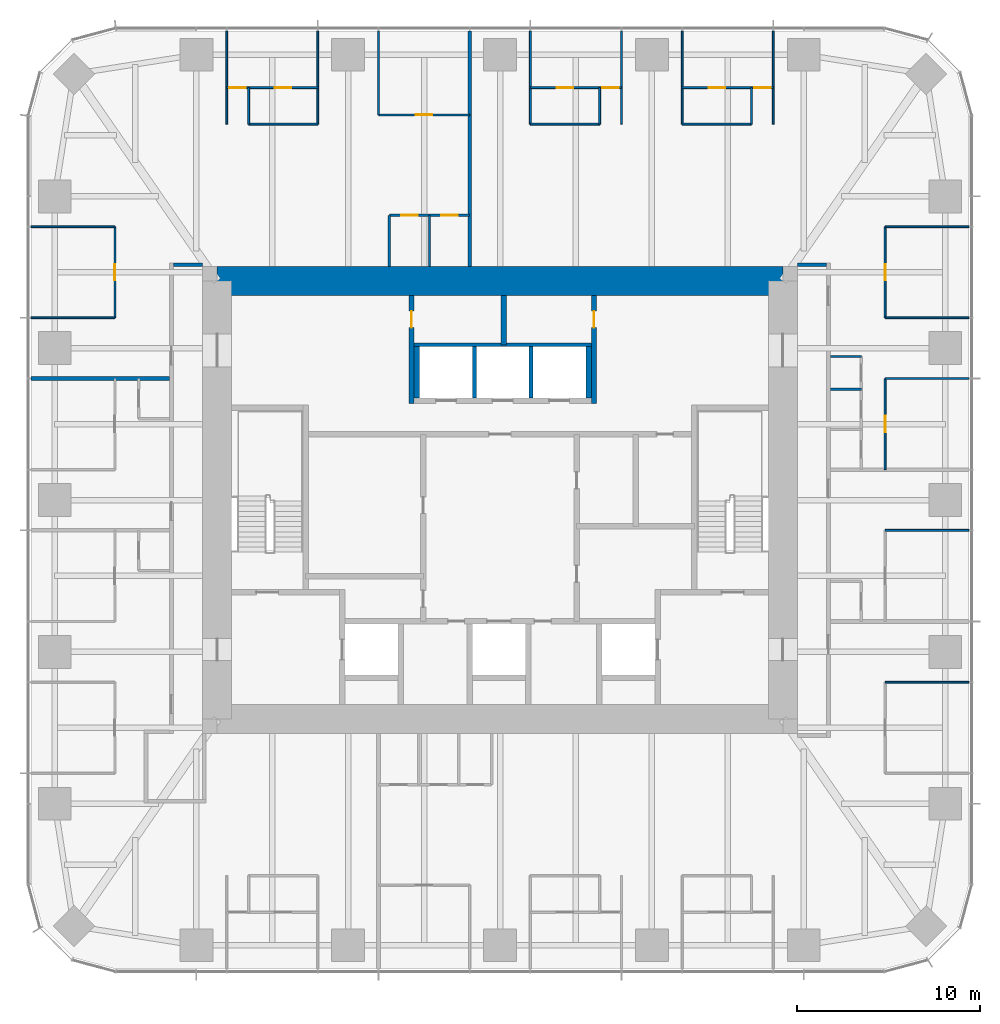
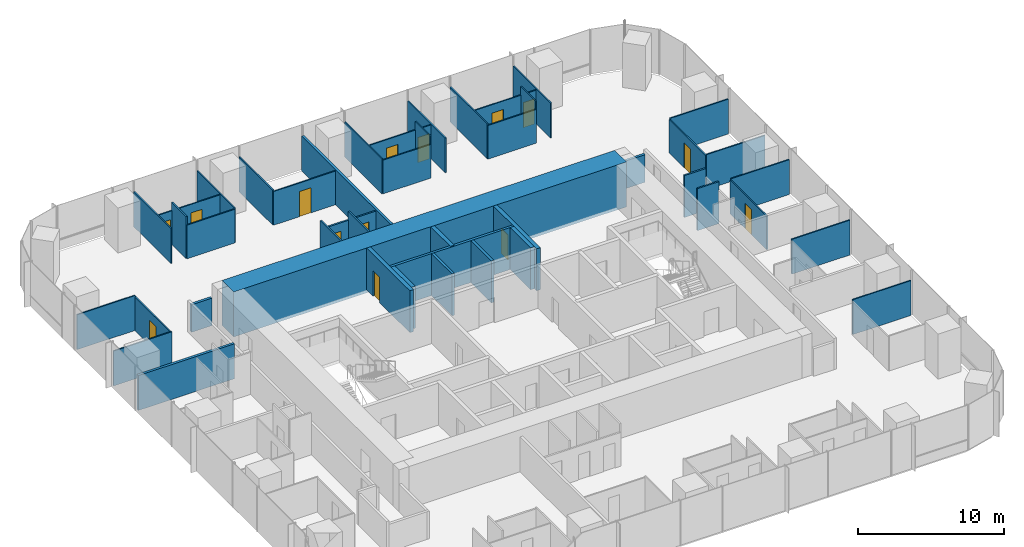
# One storey, part 11 of 13: 45 walls, 14 doors, 14 openings.
"""IFC4 building model written with IfcOpenShell, lengths in metres."""

from ifc_helpers import new_model, si_unit, direction, frame, frame_2d, origin, place, context, subcontext, project, spatial, rectangle, extrude, material, layer, layer_set, type_object, element, fill, save


model = new_model("IFC4")

# Units and contexts
model_context = context("Model", 3, precision=1e-05, world=origin(), true_north=direction((0.0, 1.0)))
body_context = subcontext(model_context, "Body", "Model", "MODEL_VIEW")
ifc_project = project(units=[si_unit("LENGTHUNIT", "METRE"), si_unit("AREAUNIT", "SQUARE_METRE"), si_unit("VOLUMEUNIT", "CUBIC_METRE"), si_unit("PLANEANGLEUNIT", "RADIAN"), si_unit("MASSUNIT", "GRAM", prefix="KILO")], contexts=[model_context])

# Site, building, storey
site_placement = place(None, origin())
site = spatial("IfcSite", under=ifc_project, at=site_placement, CompositionType="ELEMENT")
building_placement = place(site_placement, origin())
building = spatial("IfcBuilding", under=site, at=building_placement, Name="Khuree Lantern Residences", CompositionType="ELEMENT")
storey_placement = place(building_placement, frame((0.0, 0.0, 259.5)))
storey = spatial("IfcBuildingStorey", under=building, at=storey_placement, Name="L65", CompositionType="ELEMENT", Elevation=259.5)

# Walls
ifc_material_1 = material(Name="Moisture-resistant gypsum board on steel studs", Category="steel")
ifc_layer_1 = layer(ifc_material_1, 0.125)
ifc_layer_set_1 = layer_set([ifc_layer_1], Name="BATHROOM WALL BTW125")
wall_type_1 = type_object("IfcWallType", Name="BATHROOM WALL BTW125", PredefinedType="PARTITIONING", material=ifc_layer_set_1)
for number, where, z_axis, x_axis, name in (
    (1, (18.10009765625, 6.06396484375, 0.0), (0.0, 0.0, 1.0), (1.0, 0.0, 0.0), "L65 BATHROOM WALL 02"),
    (2, (18.10009765625, 7.864013671875, 0.0), (0.0, 0.0, 1.0), (1.0, 0.0, 0.0), "L65 BATHROOM WALL 02"),
):
    element("IfcWall", number, at=place(storey_placement, frame(where, z_axis=z_axis, x_axis=x_axis)), inside=storey, type_object=wall_type_1, Name=name, PredefinedType="PARTITIONING", context=body_context, shape_type="SweptSolid", body=[
        extrude(rectangle(XDim=1.699951171875, YDim=0.125, at=frame_2d((0.85009765625, 0.0))), origin(), (0.0, 0.0, 1.0), 3.5),
    ])

# Wall, openings, doors
wall_1_placement = place(storey_placement, frame((-1.6640625, 15.60009765625, 0.0), z_axis=(0.0, 0.0, 1.0), x_axis=(-1.0, 0.0, 0.0)))
wall_1 = element("IfcWall", 3, at=wall_1_placement, inside=storey, type_object=wall_type_1, Name="L65 BATHROOM WALL 03", PredefinedType="PARTITIONING", context=body_context, shape_type="SweptSolid", body=[
    extrude(rectangle(XDim=4.39990234375, YDim=0.125, at=frame_2d((2.199951171875, 0.0))), origin(), (0.0, 0.0, 1.0), 2.81005859375),
])
opening_1_placement = place(wall_1_placement, frame((0.64990234375, 0.0, 0.0)))
opening_1 = element("IfcOpeningElement", 4, at=opening_1_placement, cuts=wall_1, Name="Opening 65-040", PredefinedType="OPENING", context=body_context, shape_type="SweptSolid", body=[
    extrude(rectangle(XDim=0.89990234375, YDim=2.10009765625, at=frame_2d((0.449951171875, 1.050048828125))), frame((0.0, 0.072509765625, 0.0), z_axis=(0.0, -1.0, 0.0), x_axis=(1.0, 0.0, 0.0)), (0.0, 0.0, 1.0), 0.14501953125),
])
opening_2_placement = place(wall_1_placement, frame((2.85009765625, 0.0, 0.0)))
opening_2 = element("IfcOpeningElement", 5, at=opening_2_placement, cuts=wall_1, Name="Opening 65-041", PredefinedType="OPENING", context=body_context, shape_type="SweptSolid", body=[
    extrude(rectangle(XDim=0.89990234375, YDim=2.10009765625, at=frame_2d((0.449951171875, 1.050048828125))), frame((0.0, 0.072509765625, 0.0), z_axis=(0.0, -1.0, 0.0), x_axis=(1.0, 0.0, 0.0)), (0.0, 0.0, 1.0), 0.14501953125),
])
ifc_material_2 = material(Name="Timber door leaf in hardwood frame", Category="wood")
door_type_1 = type_object("IfcDoorType", Name="BATHROOM DOOR 900X2100", OperationType="SINGLE_SWING_LEFT", PredefinedType="DOOR", material=ifc_material_2)
door_1_placement = place(opening_1_placement, origin())
door_1 = element("IfcDoor", 6, at=door_1_placement, inside=storey, type_object=door_type_1, Name="Bathroom door 65-040", OperationType="SINGLE_SWING_LEFT", OverallHeight=2.10009765625, OverallWidth=0.89990234375, PredefinedType="DOOR", context=body_context, shape_type="SweptSolid", body=[
    extrude(rectangle(XDim=0.89990234375, YDim=2.10009765625, at=frame_2d((0.449951171875, 1.050048828125))), frame((0.0, 0.02490234375, 0.0), z_axis=(0.0, -1.0, 0.0), x_axis=(1.0, 0.0, 0.0)), (0.0, 0.0, 1.0), 0.050048828125),
])
fill(opening_1, door_1)
door_2_placement = place(opening_2_placement, origin())
door_2 = element("IfcDoor", 7, at=door_2_placement, inside=storey, type_object=door_type_1, Name="Bathroom door 65-041", OperationType="SINGLE_SWING_LEFT", OverallHeight=2.10009765625, OverallWidth=0.89990234375, PredefinedType="DOOR", context=body_context, shape_type="SweptSolid", body=[
    extrude(rectangle(XDim=0.89990234375, YDim=2.10009765625, at=frame_2d((0.449951171875, 1.050048828125))), frame((0.0, 0.02490234375, 0.0), z_axis=(0.0, -1.0, 0.0), x_axis=(1.0, 0.0, 0.0)), (0.0, 0.0, 1.0), 0.050048828125),
])
fill(opening_2, door_2)

# Walls
for number, where, z_axis, x_axis, name in (
    (8, (-3.864013671875, 12.800048828125, 0.0), (0.0, 0.0, 1.0), (0.0, 1.0, 0.0), "L65 BATHROOM WALL 03"),
    (9, (-6.06396484375, 12.800048828125, 0.0), (0.0, 0.0, 1.0), (0.0, 1.0, 0.0), "L65 BATHROOM WALL 03"),
):
    element("IfcWall", number, at=place(storey_placement, frame(where, z_axis=z_axis, x_axis=x_axis)), inside=storey, type_object=wall_type_1, Name=name, PredefinedType="PARTITIONING", context=body_context, shape_type="SweptSolid", body=[
        extrude(rectangle(XDim=2.800048828125, YDim=0.125, at=frame_2d((1.39990234375, 0.0))), origin(), (0.0, 0.0, 1.0), 3.5),
    ])
ifc_material_3 = material(Name="Dense concrete blockwork", Category="masonry")
ifc_layer_2 = layer(ifc_material_3, 0.300048828125)
ifc_layer_set_2 = layer_set([ifc_layer_2], Name="CORE PARTITION WALL CPW300 EI 120")
wall_type_2 = type_object("IfcWallType", Name="CORE PARTITION WALL CPW300 EI 120", PredefinedType="PARTITIONING", material=ifc_layer_set_2)
for number, where, z_axis, x_axis, name in (
    (10, (-4.550048828125, 5.60009765625, 0.0), (0.0, 0.0, 1.0), (0.0, 1.0, 0.0), "L65 CORE WALL PHW"),
    (11, (4.85009765625, 5.60009765625, 0.0), (0.0, 0.0, 1.0), (0.0, 1.0, 0.0), "L65 CORE WALL PHE"),
):
    element("IfcWall", number, at=place(storey_placement, frame(where, z_axis=z_axis, x_axis=x_axis)), inside=storey, type_object=wall_type_2, Name=name, PredefinedType="PARTITIONING", context=body_context, shape_type="SweptSolid", body=[
        extrude(rectangle(XDim=2.7998046875, YDim=0.300048828125, at=frame_2d((1.39990234375, 0.0))), origin(), (0.0, 0.0, 1.0), 3.5),
    ])

# Wall, opening, door
wall_2_placement = place(storey_placement, frame((-4.85009765625, 5.300048828125, 0.0), z_axis=(0.0, 0.0, 1.0), x_axis=(0.0, 1.0, 0.0)))
wall_2 = element("IfcWall", 12, at=wall_2_placement, inside=storey, type_object=wall_type_2, Name="L65 CORE WALL NW", PredefinedType="PARTITIONING", context=body_context, shape_type="SweptSolid", body=[
    extrude(rectangle(XDim=5.89990234375, YDim=0.300048828125, at=frame_2d((2.949951171875, 0.0))), origin(), (0.0, 0.0, 1.0), 3.5),
])
opening_3_placement = place(wall_2_placement, frame((4.14990234375, 0.0, 0.0)))
opening_3 = element("IfcOpeningElement", 13, at=opening_3_placement, cuts=wall_2, Name="Opening 65-021", PredefinedType="OPENING", context=body_context, shape_type="SweptSolid", body=[
    extrude(rectangle(XDim=0.89990234375, YDim=2.10009765625, at=frame_2d((0.449951171875, 1.050048828125))), frame((0.0, 0.16015625, 0.0), z_axis=(0.0, -1.0, 0.0), x_axis=(1.0, 0.0, 0.0)), (0.0, 0.0, 1.0), 0.320068359375),
])
door_type_2 = type_object("IfcDoorType", Name="DOOR 900X2100 RIGHT HAND", OperationType="SINGLE_SWING_RIGHT", PredefinedType="DOOR", material=ifc_material_2)
door_3_placement = place(opening_3_placement, origin())
door_3 = element("IfcDoor", 14, at=door_3_placement, inside=storey, type_object=door_type_2, Name="Building management room door 65-021", OperationType="SINGLE_SWING_RIGHT", OverallHeight=2.10009765625, OverallWidth=0.89990234375, PredefinedType="DOOR", context=body_context, shape_type="SweptSolid", body=[
    extrude(rectangle(XDim=0.89990234375, YDim=2.10009765625, at=frame_2d((0.449951171875, 1.050048828125))), frame((0.0, 0.02490234375, 0.0), z_axis=(0.0, -1.0, 0.0), x_axis=(1.0, 0.0, 0.0)), (0.0, 0.0, 1.0), 0.050048828125),
])
fill(opening_3, door_3)

wall_3_placement = place(storey_placement, frame((5.14990234375, 5.300048828125, 0.0), z_axis=(0.0, 0.0, 1.0), x_axis=(0.0, 1.0, 0.0)))
wall_3 = element("IfcWall", 15, at=wall_3_placement, inside=storey, type_object=wall_type_2, Name="L65 CORE WALL NE", PredefinedType="PARTITIONING", context=body_context, shape_type="SweptSolid", body=[
    extrude(rectangle(XDim=5.89990234375, YDim=0.300048828125, at=frame_2d((2.949951171875, 0.0))), origin(), (0.0, 0.0, 1.0), 3.5),
])
opening_4_placement = place(wall_3_placement, frame((4.14990234375, 0.0, 0.0)))
opening_4 = element("IfcOpeningElement", 16, at=opening_4_placement, cuts=wall_3, Name="Opening 65-022", PredefinedType="OPENING", context=body_context, shape_type="SweptSolid", body=[
    extrude(rectangle(XDim=0.89990234375, YDim=2.10009765625, at=frame_2d((0.449951171875, 1.050048828125))), frame((0.0, 0.16015625, 0.0), z_axis=(0.0, -1.0, 0.0), x_axis=(1.0, 0.0, 0.0)), (0.0, 0.0, 1.0), 0.320068359375),
])
door_type_3 = type_object("IfcDoorType", Name="DOOR 900X2100", OperationType="SINGLE_SWING_LEFT", PredefinedType="DOOR", material=ifc_material_2)
door_4_placement = place(opening_4_placement, origin())
door_4 = element("IfcDoor", 17, at=door_4_placement, inside=storey, type_object=door_type_3, Name="Refuse holding room door 65-022", OperationType="SINGLE_SWING_LEFT", OverallHeight=2.10009765625, OverallWidth=0.89990234375, PredefinedType="DOOR", context=body_context, shape_type="SweptSolid", body=[
    extrude(rectangle(XDim=0.89990234375, YDim=2.10009765625, at=frame_2d((0.449951171875, 1.050048828125))), frame((0.0, 0.02490234375, 0.0), z_axis=(0.0, -1.0, 0.0), x_axis=(1.0, 0.0, 0.0)), (0.0, 0.0, 1.0), 0.050048828125),
])
fill(opening_4, door_4)

# Walls
wall_4_placement = place(storey_placement, frame((0.199951171875, 8.5, 0.0), z_axis=(0.0, 0.0, 1.0), x_axis=(0.0, 1.0, 0.0)))
element("IfcWall", 18, at=wall_4_placement, inside=storey, type_object=wall_type_2, Name="L65 CORE WALL NX", PredefinedType="PARTITIONING", context=body_context, shape_type="SweptSolid", body=[
    extrude(rectangle(XDim=2.699951171875, YDim=0.300048828125, at=frame_2d((1.35009765625, 0.0))), origin(), (0.0, 0.0, 1.0), 3.5),
])
ifc_material_4 = material(Name="Gypsum board on steel studs", Category="steel")
ifc_layer_3 = layer(ifc_material_4, 0.199951171875)
ifc_layer_set_3 = layer_set([ifc_layer_3], Name="CORRIDOR WALL CRW200 EI 60")
wall_type_3 = type_object("IfcWallType", Name="CORRIDOR WALL CRW200 EI 60", PredefinedType="PARTITIONING", material=ifc_layer_set_3)
for number, where, z_axis, x_axis, name in (
    (19, (16.300048828125, 12.89990234375, 0.0), (0.0, 0.0, 1.0), (1.0, 0.0, 0.0), "L65 EAST CORRIDOR NORTH END WALL"),
    (20, (-16.300048828125, 12.89990234375, 0.0), (0.0, 0.0, 1.0), (-1.0, 0.0, 0.0), "L65 WEST CORRIDOR NORTH END WALL"),
):
    element("IfcWall", number, at=place(storey_placement, frame(where, z_axis=z_axis, x_axis=x_axis)), inside=storey, type_object=wall_type_3, Name=name, PredefinedType="PARTITIONING", context=body_context, shape_type="SweptSolid", body=[
        extrude(rectangle(XDim=1.599853515625, YDim=0.199951171875, at=frame_2d((0.7998046875, 0.0))), origin(), (0.0, 0.0, 1.0), 2.300048828125),
    ])
ifc_material_5 = material(Name="Concrete C50/60", Category="concrete")
ifc_layer_4 = layer(ifc_material_5, 1.60009765625)
ifc_layer_set_4 = layer_set([ifc_layer_4], Name="CW1600-C50 CORE WALL C50 1600")
wall_type_4 = type_object("IfcWallType", Name="CW1600-C50 CORE WALL C50 1600", PredefinedType="SHEAR", material=ifc_layer_set_4)
wall_5_placement = place(storey_placement, frame((-15.5, 12.0, -0.25), z_axis=(0.0, 0.0, 1.0), x_axis=(1.0, 0.0, 0.0)))
element("IfcWall", 21, at=wall_5_placement, inside=storey, type_object=wall_type_4, Name="Core wall N", PredefinedType="SHEAR", context=body_context, shape_type="SweptSolid", body=[
    extrude(rectangle(XDim=31.0, YDim=1.60009765625, at=frame_2d((15.5, 0.0))), origin(), (0.0, 0.0, 1.0), 3.75),
])
ifc_layer_5 = layer(ifc_material_4, 0.199951171875)
ifc_layer_set_5 = layer_set([ifc_layer_5], Name="DEMISING WALL DMW200 EI 90")
wall_type_5 = type_object("IfcWallType", Name="DEMISING WALL DMW200 EI 90", PredefinedType="PARTITIONING", material=ifc_layer_set_5)
wall_6_placement = place(storey_placement, frame((-1.6640625, 12.800048828125, 0.0), z_axis=(0.0, 0.0, 1.0), x_axis=(0.0, 1.0, 0.0)))
element("IfcWall", 22, at=wall_6_placement, inside=storey, type_object=wall_type_5, Name="L65 DEMISING WALL 03", PredefinedType="PARTITIONING", context=body_context, shape_type="SweptSolid", body=[
    extrude(rectangle(XDim=12.89990234375, YDim=0.199951171875, at=frame_2d((6.449951171875, 0.0))), origin(), (0.0, 0.0, 1.0), 2.909912109375),
])
wall_7_placement = place(storey_placement, frame((-18.10009765625, 6.656005859375, 0.0), z_axis=(0.0, 0.0, 1.0), x_axis=(-1.0, 0.0, 0.0)))
element("IfcWall", 23, at=wall_7_placement, inside=storey, type_object=wall_type_5, Name="L65 DEMISING WALL 04", PredefinedType="PARTITIONING", context=body_context, shape_type="SweptSolid", body=[
    extrude(rectangle(XDim=7.599853515625, YDim=0.199951171875, at=frame_2d((3.7998046875, 0.0))), origin(), (0.0, 0.0, 1.0), 2.909912109375),
])
ifc_layer_6 = layer(ifc_material_4, 0.10009765625)
ifc_layer_set_6 = layer_set([ifc_layer_6], Name="PARTITION PT100")
wall_type_6 = type_object("IfcWallType", Name="PARTITION PT100", PredefinedType="PARTITIONING", material=ifc_layer_set_6)
for number, where, z_axis, x_axis, name in (
    (24, (21.10009765625, -1.6640625, 0.0), (0.0, 0.0, 1.0), (1.0, 0.0, 0.0), "L65 PARTITION 01"),
    (25, (21.10009765625, 6.656005859375, 0.0), (0.0, 0.0, 1.0), (1.0, 0.0, 0.0), "L65 PARTITION 02"),
    (26, (21.10009765625, 9.98388671875, 0.0), (0.0, 0.0, 1.0), (1.0, 0.0, 0.0), "L65 PARTITION 02"),
    (27, (21.10009765625, 14.97607421875, 0.0), (0.0, 0.0, 1.0), (1.0, 0.0, 0.0), "L65 PARTITION 02"),
):
    element("IfcWall", number, at=place(storey_placement, frame(where, z_axis=z_axis, x_axis=x_axis)), inside=storey, type_object=wall_type_6, Name=name, PredefinedType="PARTITIONING", context=body_context, shape_type="SweptSolid", body=[
        extrude(rectangle(XDim=4.599853515625, YDim=0.10009765625, at=frame_2d((2.2998046875, 0.0))), origin(), (0.0, 0.0, 1.0), 2.909912109375),
    ])
for number, where, z_axis, x_axis, name in (
    (28, (14.97607421875, 20.594970703125, 0.0), (0.0, 0.0, 1.0), (0.0, 1.0, 0.0), "L65 PARTITION 02"),
    (29, (9.98388671875, 20.594970703125, 0.0), (0.0, 0.0, 1.0), (0.0, 1.0, 0.0), "L65 PARTITION 02"),
    (30, (6.656005859375, 20.594970703125, 0.0), (0.0, 0.0, 1.0), (0.0, 1.0, 0.0), "L65 PARTITION 02"),
    (31, (1.6640625, 20.594970703125, 0.0), (0.0, 0.0, 1.0), (0.0, 1.0, 0.0), "L65 PARTITION 02"),
):
    element("IfcWall", number, at=place(storey_placement, frame(where, z_axis=z_axis, x_axis=x_axis)), inside=storey, type_object=wall_type_6, Name=name, PredefinedType="PARTITIONING", context=body_context, shape_type="SweptSolid", body=[
        extrude(rectangle(XDim=5.10498046875, YDim=0.10009765625, at=frame_2d((2.552490234375, 0.0))), origin(), (0.0, 0.0, 1.0), 2.909912109375),
    ])
wall_8_placement = place(storey_placement, frame((-6.656005859375, 21.10009765625, 0.0), z_axis=(0.0, 0.0, 1.0), x_axis=(0.0, 1.0, 0.0)))
element("IfcWall", 32, at=wall_8_placement, inside=storey, type_object=wall_type_6, Name="L65 PARTITION 03", PredefinedType="PARTITIONING", context=body_context, shape_type="SweptSolid", body=[
    extrude(rectangle(XDim=4.599853515625, YDim=0.10009765625, at=frame_2d((2.2998046875, 0.0))), origin(), (0.0, 0.0, 1.0), 2.909912109375),
])
for number, where, z_axis, x_axis, name in (
    (33, (-9.98388671875, 20.594970703125, 0.0), (0.0, 0.0, 1.0), (0.0, 1.0, 0.0), "L65 PARTITION 03"),
    (34, (-14.97607421875, 20.594970703125, 0.0), (0.0, 0.0, 1.0), (0.0, 1.0, 0.0), "L65 PARTITION 03"),
):
    element("IfcWall", number, at=place(storey_placement, frame(where, z_axis=z_axis, x_axis=x_axis)), inside=storey, type_object=wall_type_6, Name=name, PredefinedType="PARTITIONING", context=body_context, shape_type="SweptSolid", body=[
        extrude(rectangle(XDim=5.10498046875, YDim=0.10009765625, at=frame_2d((2.552490234375, 0.0))), origin(), (0.0, 0.0, 1.0), 2.909912109375),
    ])
for number, where, z_axis, x_axis, name in (
    (35, (-21.10009765625, 14.97607421875, 0.0), (0.0, 0.0, 1.0), (-1.0, 0.0, 0.0), "L65 PARTITION 03"),
    (36, (-21.10009765625, 9.98388671875, 0.0), (0.0, 0.0, 1.0), (-1.0, 0.0, 0.0), "L65 PARTITION 03"),
    (37, (21.10009765625, -9.98388671875, 0.0), (0.0, 0.0, 1.0), (1.0, 0.0, 0.0), "L65 PARTITION 06"),
):
    element("IfcWall", number, at=place(storey_placement, frame(where, z_axis=z_axis, x_axis=x_axis)), inside=storey, type_object=wall_type_6, Name=name, PredefinedType="PARTITIONING", context=body_context, shape_type="SweptSolid", body=[
        extrude(rectangle(XDim=4.599853515625, YDim=0.10009765625, at=frame_2d((2.2998046875, 0.0))), origin(), (0.0, 0.0, 1.0), 2.909912109375),
    ])

# Wall, opening, door
wall_9_placement = place(storey_placement, frame((21.10009765625, 1.6640625, 0.0), z_axis=(0.0, 0.0, 1.0), x_axis=(0.0, 1.0, 0.0)))
wall_9 = element("IfcWall", 38, at=wall_9_placement, inside=storey, type_object=wall_type_6, Name="L65 PARTITION 02", PredefinedType="PARTITIONING", context=body_context, shape_type="SweptSolid", body=[
    extrude(rectangle(XDim=4.991943359375, YDim=0.10009765625, at=frame_2d((2.49609375, 0.0))), origin(), (0.0, 0.0, 1.0), 2.81005859375),
])
opening_5_placement = place(wall_9_placement, frame((2.0458984375, 0.0, 0.0)))
opening_5 = element("IfcOpeningElement", 39, at=opening_5_placement, cuts=wall_9, Name="Opening 65-026", PredefinedType="OPENING", context=body_context, shape_type="SweptSolid", body=[
    extrude(rectangle(XDim=0.89990234375, YDim=2.10009765625, at=frame_2d((0.449951171875, 1.050048828125))), frame((0.0, 0.06005859375, 0.0), z_axis=(0.0, -1.0, 0.0), x_axis=(1.0, 0.0, 0.0)), (0.0, 0.0, 1.0), 0.1201171875),
])
door_type_4 = type_object("IfcDoorType", Name="BEDROOM DOOR 900X2100", OperationType="SINGLE_SWING_LEFT", PredefinedType="DOOR", material=ifc_material_2)
door_5_placement = place(opening_5_placement, origin())
door_5 = element("IfcDoor", 40, at=door_5_placement, inside=storey, type_object=door_type_4, Name="Bedroom door 65-026", OperationType="SINGLE_SWING_LEFT", OverallHeight=2.10009765625, OverallWidth=0.89990234375, PredefinedType="DOOR", context=body_context, shape_type="SweptSolid", body=[
    extrude(rectangle(XDim=0.89990234375, YDim=2.10009765625, at=frame_2d((0.449951171875, 1.050048828125))), frame((0.0, 0.02490234375, 0.0), z_axis=(0.0, -1.0, 0.0), x_axis=(1.0, 0.0, 0.0)), (0.0, 0.0, 1.0), 0.050048828125),
])
fill(opening_5, door_5)

wall_10_placement = place(storey_placement, frame((21.10009765625, 9.98388671875, 0.0), z_axis=(0.0, 0.0, 1.0), x_axis=(0.0, 1.0, 0.0)))
wall_10 = element("IfcWall", 41, at=wall_10_placement, inside=storey, type_object=wall_type_6, Name="L65 PARTITION 02", PredefinedType="PARTITIONING", context=body_context, shape_type="SweptSolid", body=[
    extrude(rectangle(XDim=4.9921875, YDim=0.10009765625, at=frame_2d((2.49609375, 0.0))), origin(), (0.0, 0.0, 1.0), 2.81005859375),
])
opening_6_placement = place(wall_10_placement, frame((2.0458984375, 0.0, 0.0)))
opening_6 = element("IfcOpeningElement", 42, at=opening_6_placement, cuts=wall_10, Name="Opening 65-027", PredefinedType="OPENING", context=body_context, shape_type="SweptSolid", body=[
    extrude(rectangle(XDim=0.89990234375, YDim=2.10009765625, at=frame_2d((0.449951171875, 1.050048828125))), frame((0.0, 0.06005859375, 0.0), z_axis=(0.0, -1.0, 0.0), x_axis=(1.0, 0.0, 0.0)), (0.0, 0.0, 1.0), 0.1201171875),
])
door_6_placement = place(opening_6_placement, origin())
door_6 = element("IfcDoor", 43, at=door_6_placement, inside=storey, type_object=door_type_4, Name="Bedroom door 65-027", OperationType="SINGLE_SWING_LEFT", OverallHeight=2.10009765625, OverallWidth=0.89990234375, PredefinedType="DOOR", context=body_context, shape_type="SweptSolid", body=[
    extrude(rectangle(XDim=0.89990234375, YDim=2.10009765625, at=frame_2d((0.449951171875, 1.050048828125))), frame((0.0, 0.02490234375, 0.0), z_axis=(0.0, -1.0, 0.0), x_axis=(1.0, 0.0, 0.0)), (0.0, 0.0, 1.0), 0.050048828125),
])
fill(opening_6, door_6)

# Wall, openings, doors
wall_11_placement = place(storey_placement, frame((14.97607421875, 22.594970703125, 0.0), z_axis=(0.0, 0.0, 1.0), x_axis=(-1.0, 0.0, 0.0)))
wall_11 = element("IfcWall", 44, at=wall_11_placement, inside=storey, type_object=wall_type_6, Name="L65 PARTITION 02", PredefinedType="PARTITIONING", context=body_context, shape_type="SweptSolid", body=[
    extrude(rectangle(XDim=4.9921875, YDim=0.10009765625, at=frame_2d((2.49609375, 0.0))), origin(), (0.0, 0.0, 1.0), 2.81005859375),
])
opening_7_placement = place(wall_11_placement, frame((0.14990234375, 0.0, 0.0)))
opening_7 = element("IfcOpeningElement", 45, at=opening_7_placement, cuts=wall_11, Name="Opening 65-028", PredefinedType="OPENING", context=body_context, shape_type="SweptSolid", body=[
    extrude(rectangle(XDim=0.89990234375, YDim=2.10009765625, at=frame_2d((0.449951171875, 1.050048828125))), frame((0.0, 0.06005859375, 0.0), z_axis=(0.0, -1.0, 0.0), x_axis=(1.0, 0.0, 0.0)), (0.0, 0.0, 1.0), 0.1201171875),
])
opening_8_placement = place(wall_11_placement, frame((2.64599609375, 0.0, 0.0)))
opening_8 = element("IfcOpeningElement", 46, at=opening_8_placement, cuts=wall_11, Name="Opening 65-029", PredefinedType="OPENING", context=body_context, shape_type="SweptSolid", body=[
    extrude(rectangle(XDim=0.89990234375, YDim=2.10009765625, at=frame_2d((0.449951171875, 1.050048828125))), frame((0.0, 0.06005859375, 0.0), z_axis=(0.0, -1.0, 0.0), x_axis=(1.0, 0.0, 0.0)), (0.0, 0.0, 1.0), 0.1201171875),
])
door_7_placement = place(opening_7_placement, origin())
door_7 = element("IfcDoor", 47, at=door_7_placement, inside=storey, type_object=door_type_4, Name="Bedroom door 65-028", OperationType="SINGLE_SWING_LEFT", OverallHeight=2.10009765625, OverallWidth=0.89990234375, PredefinedType="DOOR", context=body_context, shape_type="SweptSolid", body=[
    extrude(rectangle(XDim=0.89990234375, YDim=2.10009765625, at=frame_2d((0.449951171875, 1.050048828125))), frame((0.0, 0.02490234375, 0.0), z_axis=(0.0, -1.0, 0.0), x_axis=(1.0, 0.0, 0.0)), (0.0, 0.0, 1.0), 0.050048828125),
])
fill(opening_7, door_7)
door_8_placement = place(opening_8_placement, origin())
door_8 = element("IfcDoor", 48, at=door_8_placement, inside=storey, type_object=door_type_3, Name="Wardrobe door 65-029", OperationType="SINGLE_SWING_LEFT", OverallHeight=2.10009765625, OverallWidth=0.89990234375, PredefinedType="DOOR", context=body_context, shape_type="SweptSolid", body=[
    extrude(rectangle(XDim=0.89990234375, YDim=2.10009765625, at=frame_2d((0.449951171875, 1.050048828125))), frame((0.0, 0.02490234375, 0.0), z_axis=(0.0, -1.0, 0.0), x_axis=(1.0, 0.0, 0.0)), (0.0, 0.0, 1.0), 0.050048828125),
])
fill(opening_8, door_8)

# Walls
wall_12_placement = place(storey_placement, frame((13.77587890625, 20.594970703125, 0.0), z_axis=(0.0, 0.0, 1.0), x_axis=(0.0, 1.0, 0.0)))
element("IfcWall", 49, at=wall_12_placement, inside=storey, type_object=wall_type_6, Name="L65 PARTITION 02", PredefinedType="PARTITIONING", context=body_context, shape_type="SweptSolid", body=[
    extrude(rectangle(XDim=2.0, YDim=0.10009765625, at=frame_2d((1.0, 0.0))), origin(), (0.0, 0.0, 1.0), 3.5),
])
wall_13_placement = place(storey_placement, frame((13.77587890625, 20.594970703125, 0.0), z_axis=(0.0, 0.0, 1.0), x_axis=(-1.0, 0.0, 0.0)))
element("IfcWall", 50, at=wall_13_placement, inside=storey, type_object=wall_type_6, Name="L65 PARTITION 02", PredefinedType="PARTITIONING", context=body_context, shape_type="SweptSolid", body=[
    extrude(rectangle(XDim=3.7919921875, YDim=0.10009765625, at=frame_2d((1.89599609375, 0.0))), origin(), (0.0, 0.0, 1.0), 2.81005859375),
])

# Wall, openings, doors
wall_14_placement = place(storey_placement, frame((6.656005859375, 22.594970703125, 0.0), z_axis=(0.0, 0.0, 1.0), x_axis=(-1.0, 0.0, 0.0)))
wall_14 = element("IfcWall", 51, at=wall_14_placement, inside=storey, type_object=wall_type_6, Name="L65 PARTITION 02", PredefinedType="PARTITIONING", context=body_context, shape_type="SweptSolid", body=[
    extrude(rectangle(XDim=4.991943359375, YDim=0.10009765625, at=frame_2d((2.49609375, 0.0))), origin(), (0.0, 0.0, 1.0), 2.81005859375),
])
opening_9_placement = place(wall_14_placement, frame((0.14990234375, 0.0, 0.0)))
opening_9 = element("IfcOpeningElement", 52, at=opening_9_placement, cuts=wall_14, Name="Opening 65-030", PredefinedType="OPENING", context=body_context, shape_type="SweptSolid", body=[
    extrude(rectangle(XDim=0.89990234375, YDim=2.10009765625, at=frame_2d((0.449951171875, 1.050048828125))), frame((0.0, 0.06005859375, 0.0), z_axis=(0.0, -1.0, 0.0), x_axis=(1.0, 0.0, 0.0)), (0.0, 0.0, 1.0), 0.1201171875),
])
opening_10_placement = place(wall_14_placement, frame((2.64599609375, 0.0, 0.0)))
opening_10 = element("IfcOpeningElement", 53, at=opening_10_placement, cuts=wall_14, Name="Opening 65-031", PredefinedType="OPENING", context=body_context, shape_type="SweptSolid", body=[
    extrude(rectangle(XDim=0.89990234375, YDim=2.10009765625, at=frame_2d((0.449951171875, 1.050048828125))), frame((0.0, 0.06005859375, 0.0), z_axis=(0.0, -1.0, 0.0), x_axis=(1.0, 0.0, 0.0)), (0.0, 0.0, 1.0), 0.1201171875),
])
door_9_placement = place(opening_9_placement, origin())
door_9 = element("IfcDoor", 54, at=door_9_placement, inside=storey, type_object=door_type_4, Name="Bedroom door 65-030", OperationType="SINGLE_SWING_LEFT", OverallHeight=2.10009765625, OverallWidth=0.89990234375, PredefinedType="DOOR", context=body_context, shape_type="SweptSolid", body=[
    extrude(rectangle(XDim=0.89990234375, YDim=2.10009765625, at=frame_2d((0.449951171875, 1.050048828125))), frame((0.0, 0.02490234375, 0.0), z_axis=(0.0, -1.0, 0.0), x_axis=(1.0, 0.0, 0.0)), (0.0, 0.0, 1.0), 0.050048828125),
])
fill(opening_9, door_9)
door_10_placement = place(opening_10_placement, origin())
door_10 = element("IfcDoor", 55, at=door_10_placement, inside=storey, type_object=door_type_3, Name="Wardrobe door 65-031", OperationType="SINGLE_SWING_LEFT", OverallHeight=2.10009765625, OverallWidth=0.89990234375, PredefinedType="DOOR", context=body_context, shape_type="SweptSolid", body=[
    extrude(rectangle(XDim=0.89990234375, YDim=2.10009765625, at=frame_2d((0.449951171875, 1.050048828125))), frame((0.0, 0.02490234375, 0.0), z_axis=(0.0, -1.0, 0.0), x_axis=(1.0, 0.0, 0.0)), (0.0, 0.0, 1.0), 0.050048828125),
])
fill(opening_10, door_10)

# Walls
wall_15_placement = place(storey_placement, frame((5.4560546875, 20.594970703125, 0.0), z_axis=(0.0, 0.0, 1.0), x_axis=(0.0, 1.0, 0.0)))
element("IfcWall", 56, at=wall_15_placement, inside=storey, type_object=wall_type_6, Name="L65 PARTITION 02", PredefinedType="PARTITIONING", context=body_context, shape_type="SweptSolid", body=[
    extrude(rectangle(XDim=2.0, YDim=0.10009765625, at=frame_2d((1.0, 0.0))), origin(), (0.0, 0.0, 1.0), 3.5),
])
wall_16_placement = place(storey_placement, frame((5.4560546875, 20.594970703125, 0.0), z_axis=(0.0, 0.0, 1.0), x_axis=(-1.0, 0.0, 0.0)))
element("IfcWall", 57, at=wall_16_placement, inside=storey, type_object=wall_type_6, Name="L65 PARTITION 02", PredefinedType="PARTITIONING", context=body_context, shape_type="SweptSolid", body=[
    extrude(rectangle(XDim=3.7919921875, YDim=0.10009765625, at=frame_2d((1.89599609375, 0.0))), origin(), (0.0, 0.0, 1.0), 2.81005859375),
])

# Wall, opening, door
wall_17_placement = place(storey_placement, frame((-1.6640625, 21.10009765625, 0.0), z_axis=(0.0, 0.0, 1.0), x_axis=(-1.0, 0.0, 0.0)))
wall_17 = element("IfcWall", 58, at=wall_17_placement, inside=storey, type_object=wall_type_6, Name="L65 PARTITION 03", PredefinedType="PARTITIONING", context=body_context, shape_type="SweptSolid", body=[
    extrude(rectangle(XDim=4.991943359375, YDim=0.10009765625, at=frame_2d((2.49609375, 0.0))), origin(), (0.0, 0.0, 1.0), 2.81005859375),
])
opening_11_placement = place(wall_17_placement, frame((2.0458984375, 0.0, 0.0)))
opening_11 = element("IfcOpeningElement", 59, at=opening_11_placement, cuts=wall_17, Name="Opening 65-036", PredefinedType="OPENING", context=body_context, shape_type="SweptSolid", body=[
    extrude(rectangle(XDim=0.89990234375, YDim=2.10009765625, at=frame_2d((0.449951171875, 1.050048828125))), frame((0.0, 0.06005859375, 0.0), z_axis=(0.0, -1.0, 0.0), x_axis=(1.0, 0.0, 0.0)), (0.0, 0.0, 1.0), 0.1201171875),
])
door_11_placement = place(opening_11_placement, origin())
door_11 = element("IfcDoor", 60, at=door_11_placement, inside=storey, type_object=door_type_4, Name="Bedroom door 65-036", OperationType="SINGLE_SWING_LEFT", OverallHeight=2.10009765625, OverallWidth=0.89990234375, PredefinedType="DOOR", context=body_context, shape_type="SweptSolid", body=[
    extrude(rectangle(XDim=0.89990234375, YDim=2.10009765625, at=frame_2d((0.449951171875, 1.050048828125))), frame((0.0, 0.02490234375, 0.0), z_axis=(0.0, -1.0, 0.0), x_axis=(1.0, 0.0, 0.0)), (0.0, 0.0, 1.0), 0.050048828125),
])
fill(opening_11, door_11)

# Wall, openings, doors
wall_18_placement = place(storey_placement, frame((-9.98388671875, 22.594970703125, 0.0), z_axis=(0.0, 0.0, 1.0), x_axis=(-1.0, 0.0, 0.0)))
wall_18 = element("IfcWall", 61, at=wall_18_placement, inside=storey, type_object=wall_type_6, Name="L65 PARTITION 03", PredefinedType="PARTITIONING", context=body_context, shape_type="SweptSolid", body=[
    extrude(rectangle(XDim=4.9921875, YDim=0.10009765625, at=frame_2d((2.49609375, 0.0))), origin(), (0.0, 0.0, 1.0), 2.81005859375),
])
opening_12_placement = place(wall_18_placement, frame((3.94189453125, 0.0, 0.0)))
opening_12 = element("IfcOpeningElement", 62, at=opening_12_placement, cuts=wall_18, Name="Opening 65-037", PredefinedType="OPENING", context=body_context, shape_type="SweptSolid", body=[
    extrude(rectangle(XDim=0.89990234375, YDim=2.10009765625, at=frame_2d((0.449951171875, 1.050048828125))), frame((0.0, 0.06005859375, 0.0), z_axis=(0.0, -1.0, 0.0), x_axis=(1.0, 0.0, 0.0)), (0.0, 0.0, 1.0), 0.1201171875),
])
opening_13_placement = place(wall_18_placement, frame((1.446044921875, 0.0, 0.0)))
opening_13 = element("IfcOpeningElement", 63, at=opening_13_placement, cuts=wall_18, Name="Opening 65-038", PredefinedType="OPENING", context=body_context, shape_type="SweptSolid", body=[
    extrude(rectangle(XDim=0.89990234375, YDim=2.10009765625, at=frame_2d((0.449951171875, 1.050048828125))), frame((0.0, 0.06005859375, 0.0), z_axis=(0.0, -1.0, 0.0), x_axis=(1.0, 0.0, 0.0)), (0.0, 0.0, 1.0), 0.1201171875),
])
door_12_placement = place(opening_12_placement, origin())
door_12 = element("IfcDoor", 64, at=door_12_placement, inside=storey, type_object=door_type_4, Name="Bedroom door 65-037", OperationType="SINGLE_SWING_LEFT", OverallHeight=2.10009765625, OverallWidth=0.89990234375, PredefinedType="DOOR", context=body_context, shape_type="SweptSolid", body=[
    extrude(rectangle(XDim=0.89990234375, YDim=2.10009765625, at=frame_2d((0.449951171875, 1.050048828125))), frame((0.0, 0.02490234375, 0.0), z_axis=(0.0, -1.0, 0.0), x_axis=(1.0, 0.0, 0.0)), (0.0, 0.0, 1.0), 0.050048828125),
])
fill(opening_12, door_12)
door_13_placement = place(opening_13_placement, origin())
door_13 = element("IfcDoor", 65, at=door_13_placement, inside=storey, type_object=door_type_3, Name="Wardrobe door 65-038", OperationType="SINGLE_SWING_LEFT", OverallHeight=2.10009765625, OverallWidth=0.89990234375, PredefinedType="DOOR", context=body_context, shape_type="SweptSolid", body=[
    extrude(rectangle(XDim=0.89990234375, YDim=2.10009765625, at=frame_2d((0.449951171875, 1.050048828125))), frame((0.0, 0.02490234375, 0.0), z_axis=(0.0, -1.0, 0.0), x_axis=(1.0, 0.0, 0.0)), (0.0, 0.0, 1.0), 0.050048828125),
])
fill(opening_13, door_13)

# Walls
wall_19_placement = place(storey_placement, frame((-13.77587890625, 20.594970703125, 0.0), z_axis=(0.0, 0.0, 1.0), x_axis=(0.0, 1.0, 0.0)))
element("IfcWall", 66, at=wall_19_placement, inside=storey, type_object=wall_type_6, Name="L65 PARTITION 03", PredefinedType="PARTITIONING", context=body_context, shape_type="SweptSolid", body=[
    extrude(rectangle(XDim=2.0, YDim=0.10009765625, at=frame_2d((1.0, 0.0))), origin(), (0.0, 0.0, 1.0), 3.5),
])
wall_20_placement = place(storey_placement, frame((-9.98388671875, 20.594970703125, 0.0), z_axis=(0.0, 0.0, 1.0), x_axis=(-1.0, 0.0, 0.0)))
element("IfcWall", 67, at=wall_20_placement, inside=storey, type_object=wall_type_6, Name="L65 PARTITION 03", PredefinedType="PARTITIONING", context=body_context, shape_type="SweptSolid", body=[
    extrude(rectangle(XDim=3.7919921875, YDim=0.10009765625, at=frame_2d((1.89599609375, 0.0))), origin(), (0.0, 0.0, 1.0), 2.81005859375),
])

# Wall, opening, door
wall_21_placement = place(storey_placement, frame((-21.10009765625, 14.97607421875, 0.0), z_axis=(0.0, 0.0, 1.0), x_axis=(0.0, -1.0, 0.0)))
wall_21 = element("IfcWall", 68, at=wall_21_placement, inside=storey, type_object=wall_type_6, Name="L65 PARTITION 03", PredefinedType="PARTITIONING", context=body_context, shape_type="SweptSolid", body=[
    extrude(rectangle(XDim=4.9921875, YDim=0.10009765625, at=frame_2d((2.49609375, 0.0))), origin(), (0.0, 0.0, 1.0), 2.81005859375),
])
opening_14_placement = place(wall_21_placement, frame((2.0458984375, 0.0, 0.0)))
opening_14 = element("IfcOpeningElement", 69, at=opening_14_placement, cuts=wall_21, Name="Opening 65-039", PredefinedType="OPENING", context=body_context, shape_type="SweptSolid", body=[
    extrude(rectangle(XDim=0.89990234375, YDim=2.10009765625, at=frame_2d((0.449951171875, 1.050048828125))), frame((0.0, 0.06005859375, 0.0), z_axis=(0.0, -1.0, 0.0), x_axis=(1.0, 0.0, 0.0)), (0.0, 0.0, 1.0), 0.1201171875),
])
door_14_placement = place(opening_14_placement, origin())
door_14 = element("IfcDoor", 70, at=door_14_placement, inside=storey, type_object=door_type_4, Name="Bedroom door 65-039", OperationType="SINGLE_SWING_LEFT", OverallHeight=2.10009765625, OverallWidth=0.89990234375, PredefinedType="DOOR", context=body_context, shape_type="SweptSolid", body=[
    extrude(rectangle(XDim=0.89990234375, YDim=2.10009765625, at=frame_2d((0.449951171875, 1.050048828125))), frame((0.0, 0.02490234375, 0.0), z_axis=(0.0, -1.0, 0.0), x_axis=(1.0, 0.0, 0.0)), (0.0, 0.0, 1.0), 0.050048828125),
])
fill(opening_14, door_14)

# Walls
ifc_layer_7 = layer(ifc_material_3, 0.199951171875)
ifc_layer_set_7 = layer_set([ifc_layer_7], Name="SHAFT WALL SHW200 EI 120")
wall_type_7 = type_object("IfcWallType", Name="SHAFT WALL SHW200 EI 120", PredefinedType="PARTITIONING", material=ifc_layer_set_7)
wall_22_placement = place(storey_placement, frame((-4.699951171875, 8.5, 0.0), z_axis=(0.0, 0.0, 1.0), x_axis=(1.0, 0.0, 0.0)))
element("IfcWall", 71, at=wall_22_placement, inside=storey, type_object=wall_type_7, Name="L65 CORE WALL PHN", PredefinedType="PARTITIONING", context=body_context, shape_type="SweptSolid", body=[
    extrude(rectangle(XDim=9.699951171875, YDim=0.199951171875, at=frame_2d((4.85009765625, 0.0))), origin(), (0.0, 0.0, 1.0), 3.5),
])
for number, where, z_axis, x_axis, name in (
    (72, (-1.39990234375, 5.60009765625, 0.0), (0.0, 0.0, 1.0), (0.0, 1.0, 0.0), "L65 CORE WALL PHD1"),
    (73, (1.699951171875, 5.60009765625, 0.0), (0.0, 0.0, 1.0), (0.0, 1.0, 0.0), "L65 CORE WALL PHD2"),
):
    element("IfcWall", number, at=place(storey_placement, frame(where, z_axis=z_axis, x_axis=x_axis)), inside=storey, type_object=wall_type_7, Name=name, PredefinedType="PARTITIONING", context=body_context, shape_type="SweptSolid", body=[
        extrude(rectangle(XDim=2.7998046875, YDim=0.199951171875, at=frame_2d((1.39990234375, 0.0))), origin(), (0.0, 0.0, 1.0), 3.5),
    ])

save(model, "model.ifc")
